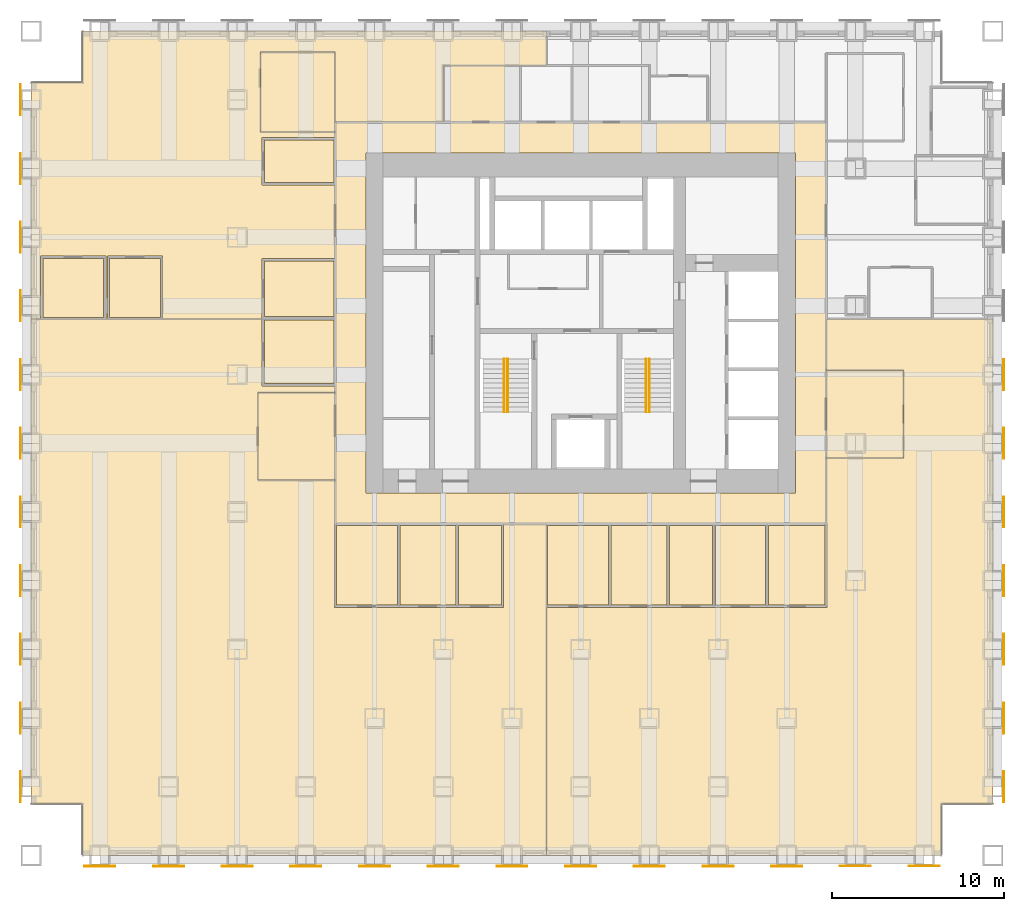
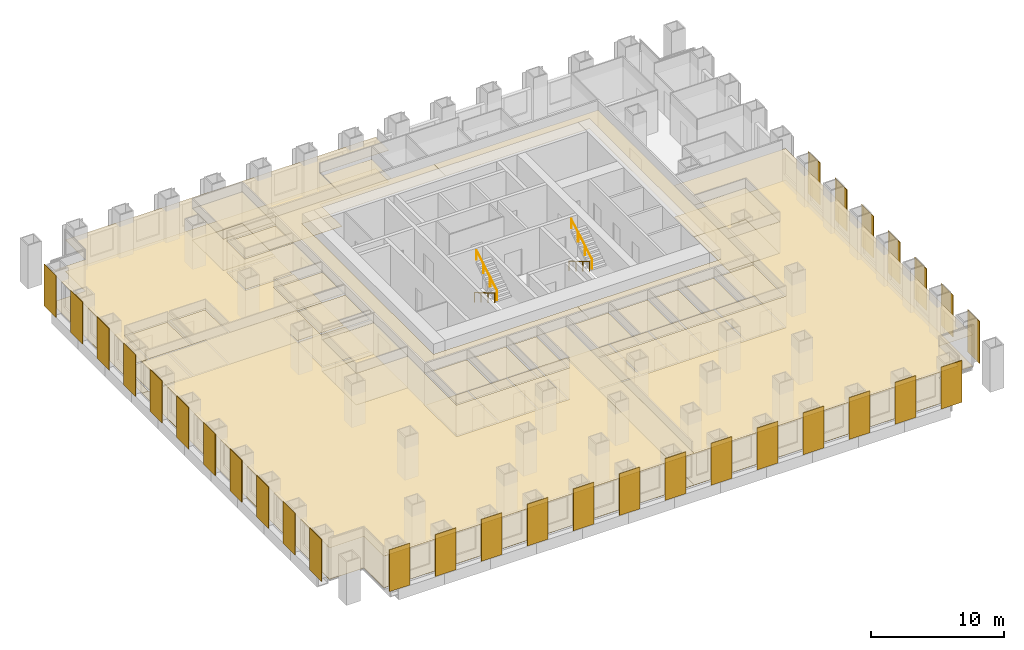
# One storey, part 14 of 15: 41 coverings, 31 shading devices, 4 railings.
"""IFC4 building model written with IfcOpenShell, lengths in metres."""

import ifcopenshell
import ifcopenshell.guid

model = None  # the IFC model being written
_history = None  # IfcOwnerHistory: only IFC2X3 demands one
_inside = {}  # id of a spatial element -> (the spatial element, [elements in it])
_under = {}  # id of a project, library or spatial element -> (it, [spatial elements below it])
_declared = {}  # id of a project -> (the project, [libraries it declares])
_typed = {}  # id of a type object -> (the type object, [elements of that type])
_made_of = {}  # id of a material, layer set ... -> (it, [elements and type objects made of it])


def new_model(schema):
    """Start an empty IFC model of exactly this schema.

    Asked for "IFC4X3", IfcOpenShell would pick the latest addendum, in which some entities
    have other attributes; the version numbers below select the first issue.
    IFC2X3 requires an IfcOwnerHistory on every rooted entity: one is made here for all.
    """
    global model, _history
    if schema == "IFC4X3":
        model = ifcopenshell.file(schema_version=(4, 3, 0, 0))
    else:
        model = ifcopenshell.file(schema=schema)
    _inside.clear()
    _under.clear()
    _declared.clear()
    _typed.clear()
    _made_of.clear()
    _history = None
    if model.schema == "IFC2X3":
        org = make("IfcOrganization", Name="unknown")
        user = make(
            "IfcPersonAndOrganization",
            ThePerson=make("IfcPerson", FamilyName="unknown"),
            TheOrganization=org,
        )
        app = make(
            "IfcApplication",
            ApplicationDeveloper=org,
            Version="unknown",
            ApplicationFullName="unknown",
            ApplicationIdentifier="unknown",
        )
        _history = make(
            "IfcOwnerHistory",
            OwningUser=user,
            OwningApplication=app,
            ChangeAction="ADDED",
            CreationDate=0,
        )
    return model


def make(cls, **values):
    """One entity of the class cls with the attributes given. An attribute that is None is left unset."""
    return model.create_entity(
        cls, **{name: value for name, value in values.items() if value is not None}
    )


def rooted(cls, **values):
    """An entity with a GlobalId (a new one), such as an element, a storey or a relation."""
    return make(cls, GlobalId=ifcopenshell.guid.new(), OwnerHistory=_history, **values)


def si_unit(unit_type, name, prefix=None):
    """IfcSIUnit, for example si_unit("LENGTHUNIT", "METRE", prefix="MILLI")."""
    return make("IfcSIUnit", UnitType=unit_type, Prefix=prefix, Name=name)


def assignment(units):
    """IfcUnitAssignment: the units of a project."""
    return None if units is None else make("IfcUnitAssignment", Units=units)


def point(xyz):
    """IfcCartesianPoint."""
    return None if xyz is None else make("IfcCartesianPoint", Coordinates=xyz)


def direction(xyz):
    """IfcDirection."""
    return None if xyz is None else make("IfcDirection", DirectionRatios=xyz)


def frame(location, z_axis=None, x_axis=None):
    """IfcAxis2Placement3D, a coordinate frame: its origin and axes. An axis left out is left unset."""
    return make(
        "IfcAxis2Placement3D",
        Location=point(location),
        Axis=direction(z_axis),
        RefDirection=direction(x_axis),
    )


def frame_2d(location, x_axis=None):
    """IfcAxis2Placement2D, a coordinate frame in the plane: its origin and x axis."""
    return make(
        "IfcAxis2Placement2D", Location=point(location), RefDirection=direction(x_axis)
    )


def origin():
    """The frame at (0, 0, 0) with its axes left unset."""
    return frame((0.0, 0.0, 0.0))


def origin_2d():
    """The frame at (0, 0) in the plane with its x axis left unset."""
    return frame_2d((0.0, 0.0))


def place(relative_to, where):
    """IfcLocalPlacement: puts the frame where relative to a parent placement (None: the world)."""
    return make(
        "IfcLocalPlacement", PlacementRelTo=relative_to, RelativePlacement=where
    )


def context(
    kind, dimensions, precision=None, world=None, true_north=None, identifier=None
):
    """IfcGeometricRepresentationContext, for example the 3D "Model" context."""
    return make(
        "IfcGeometricRepresentationContext",
        ContextIdentifier=identifier,
        ContextType=kind,
        CoordinateSpaceDimension=dimensions,
        Precision=precision,
        WorldCoordinateSystem=world,
        TrueNorth=true_north,
    )


def subcontext(parent, identifier, kind, view, scale=None):
    """IfcGeometricRepresentationSubContext, for example "Body" below "Model"."""
    return make(
        "IfcGeometricRepresentationSubContext",
        ContextIdentifier=identifier,
        ContextType=kind,
        ParentContext=parent,
        TargetScale=scale,
        TargetView=view,
    )


def project(units=None, contexts=None):
    """IfcProject with its units and contexts."""
    return rooted(
        "IfcProject",
        Name="project",
        RepresentationContexts=contexts,
        UnitsInContext=assignment(units),
    )


def spatial(cls, under=None, at=None, **own):
    """A site, building, storey or space (cls), placed at a placement, below another one or the project."""
    s = rooted(cls, ObjectPlacement=at, **own)
    if under is not None:
        _under.setdefault(under.id(), (under, []))[1].append(s)
    return s


def polyline(points):
    """IfcPolyline through the points."""
    return make("IfcPolyline", Points=[point(p) for p in points])


def profile(cls, at=None, kind="AREA", **sizes):
    """A parametric profile (cls). Its sizes go by their IFC names, for example OverallWidth=200.0."""
    return make(cls, ProfileType=kind, Position=at, **sizes)


def rectangle(**sizes):
    """IfcRectangleProfileDef."""
    return profile("IfcRectangleProfileDef", **sizes)


def circle(**sizes):
    """IfcCircleProfileDef."""
    return profile("IfcCircleProfileDef", **sizes)


def outline(outer, holes=None, kind="AREA"):
    """IfcArbitraryClosedProfileDef: a profile drawn as a closed curve; with holes, ...WithVoids."""
    if holes is None:
        return make("IfcArbitraryClosedProfileDef", ProfileType=kind, OuterCurve=outer)
    return make(
        "IfcArbitraryProfileDefWithVoids",
        ProfileType=kind,
        OuterCurve=outer,
        InnerCurves=holes,
    )


def extrude(swept, where, along, depth):
    """IfcExtrudedAreaSolid: the profile swept, set in the frame where, extruded along a direction by depth."""
    return make(
        "IfcExtrudedAreaSolid",
        SweptArea=swept,
        Position=where,
        ExtrudedDirection=direction(along),
        Depth=depth,
    )


def shape(context_of_items, identifier, shape_type, items):
    """IfcShapeRepresentation: the items that make up one representation, for example the "Body"."""
    return make(
        "IfcShapeRepresentation",
        ContextOfItems=context_of_items,
        RepresentationIdentifier=identifier,
        RepresentationType=shape_type,
        Items=items,
    )


def material(Name=None, Category=None):
    """IfcMaterial."""
    return make("IfcMaterial", Name=Name, Category=Category)


def layer(
    of_material, thickness, ventilated=None, Name=None, Category=None, Priority=None
):
    """IfcMaterialLayer: one layer of a wall or slab, of a material (None: an air gap)."""
    return make(
        "IfcMaterialLayer",
        Material=of_material,
        LayerThickness=thickness,
        IsVentilated=ventilated,
        Name=Name,
        Category=Category,
        Priority=Priority,
    )


def layer_set(layers, Name=None):
    """IfcMaterialLayerSet."""
    return make("IfcMaterialLayerSet", MaterialLayers=layers, LayerSetName=Name)


def made_of(thing, what):
    """Note that an element or type object is made of a material, layer set ...; save() writes the relation."""
    if what is not None:
        _made_of.setdefault(what.id(), (what, []))[1].append(thing)
    return thing


def type_object(cls, material=None, **own):
    """A type object (cls), such as IfcWallType, which elements share."""
    return made_of(rooted(cls, **own), material)


def element(
    cls,
    number,
    at=None,
    inside=None,
    cuts=None,
    type_object=None,
    material=None,
    context=None,
    identifier="Body",
    shape_type=None,
    held_by="IfcProductDefinitionShape",
    body=None,
    shapes=None,
    **own,
):
    """One element of the class cls, such as IfcWall. Its Tag is "e" and its number.

    at: its placement. inside: the storey or other place that contains it. cuts: it is an
    opening in that element (IfcRelVoidsElement). A single representation is given by context,
    identifier, shape_type and body (its items); several are given by shapes. held_by: the class
    of the entity that holds the representations. save() writes the other relations.
    """
    e = rooted(cls, Tag="e%d" % number, ObjectPlacement=at, **own)
    if body is not None:
        shapes = [shape(context, identifier, shape_type, body)]
    if shapes is not None:
        e.Representation = make(held_by, Representations=shapes)
    if inside is not None:
        _inside.setdefault(inside.id(), (inside, []))[1].append(e)
    if cuts is not None:
        rooted(
            "IfcRelVoidsElement", RelatingBuildingElement=cuts, RelatedOpeningElement=e
        )
    if type_object is not None:
        _typed.setdefault(type_object.id(), (type_object, []))[1].append(e)
    return made_of(e, material)


def aggregate(whole, parts):
    """IfcRelAggregates: a whole, such as a stair, and the parts it consists of."""
    return rooted("IfcRelAggregates", RelatingObject=whole, RelatedObjects=parts)


def save(model, path):
    """Write the relations noted so far, then the file.

    IfcRelAggregates (storeys below a building ...), IfcRelContainedInSpatialStructure (elements
    in a storey), IfcRelDefinesByType, IfcRelAssociatesMaterial and IfcRelDeclares: one each for
    every whole, place, type object, material and project.
    """
    for whole, parts in _under.values():
        aggregate(whole, parts)
    for where, things in _inside.values():
        rooted(
            "IfcRelContainedInSpatialStructure",
            RelatedElements=things,
            RelatingStructure=where,
        )
    for kind, things in _typed.values():
        rooted("IfcRelDefinesByType", RelatedObjects=things, RelatingType=kind)
    for what, things in _made_of.values():
        rooted("IfcRelAssociatesMaterial", RelatedObjects=things, RelatingMaterial=what)
    for by, libraries in _declared.values():
        rooted("IfcRelDeclares", RelatingContext=by, RelatedDefinitions=libraries)
    model.write(path)


model = new_model("IFC4")

# Units and contexts
model_context = context("Model", 3, precision=1e-05, world=origin(), true_north=direction((0.0, 1.0)))
body_context = subcontext(model_context, "Body", "Model", "MODEL_VIEW")
ifc_project = project(units=[si_unit("LENGTHUNIT", "METRE"), si_unit("AREAUNIT", "SQUARE_METRE"), si_unit("VOLUMEUNIT", "CUBIC_METRE"), si_unit("PLANEANGLEUNIT", "RADIAN"), si_unit("MASSUNIT", "GRAM", prefix="KILO")], contexts=[model_context])

# Site, building, storey
site_placement = place(None, origin())
site = spatial("IfcSite", under=ifc_project, at=site_placement, CompositionType="ELEMENT")
building_placement = place(site_placement, origin())
building = spatial("IfcBuilding", under=site, at=building_placement, Name="Rimbunsela Tower", CompositionType="ELEMENT")
storey_placement = place(building_placement, frame((0.0, 0.0, 19.0)))
storey = spatial("IfcBuildingStorey", under=building, at=storey_placement, Name="L04", CompositionType="ELEMENT", Elevation=19.0)

# Coverings
ifc_material_1 = material(Name="Nylon carpet tile", Category="textile")
ifc_layer_1 = layer(ifc_material_1, 0.010009765625)
ifc_layer_set_1 = layer_set([ifc_layer_1], Name="Carpet tile 10")
covering_type_1 = type_object("IfcCoveringType", Name="Carpet tile 10", PredefinedType="FLOORING", material=ifc_layer_set_1)
covering_1_placement = place(storey_placement, origin())
element("IfcCovering", 1, at=covering_1_placement, inside=storey, type_object=covering_type_1, Name="Floor finish Open office", PredefinedType="FLOORING", context=body_context, shape_type="SweptSolid", body=[
    extrude(outline(polyline([(19.449951171875, 10.449951171875), (22.75, 10.449951171875), (22.85009765625, 10.449951171875), (25.5, 10.449951171875), (25.5, 15.300048828125), (27.9990234375, 15.300048828125), (27.9990234375, -4.0), (15.699951171875, -4.0), (1.0, -4.0), (1.0, -1.0), (-2.0, -1.0), (-2.0, 27.2490234375), (11.449951171875, 27.2490234375), (11.449951171875, 23.35009765625), (15.699951171875, 23.35009765625), (15.699951171875, 22.949951171875), (11.199951171875, 22.949951171875), (11.199951171875, 17.85009765625), (15.699951171875, 17.85009765625), (15.699951171875, 15.35009765625), (15.64990234375, 15.35009765625), (15.64990234375, 10.449951171875), (15.699951171875, 10.449951171875), (19.35009765625, 10.449951171875), (19.449951171875, 10.449951171875)])), origin(), (0.0, 0.0, 1.0), 0.010009765625),
])
covering_2_placement = place(storey_placement, origin())
element("IfcCovering", 2, at=covering_2_placement, inside=storey, type_object=covering_type_1, Name="Floor finish Open office", PredefinedType="FLOORING", context=body_context, shape_type="SweptSolid", body=[
    extrude(outline(polyline([(15.699951171875, 42.77490234375), (11.35009765625, 42.77490234375), (11.35009765625, 38.125), (15.699951171875, 38.125), (15.699951171875, 37.800048828125), (11.449951171875, 37.800048828125), (11.449951171875, 35.050048828125), (15.699951171875, 35.050048828125), (15.699951171875, 30.75), (11.449951171875, 30.75), (11.449951171875, 27.2509765625), (5.64990234375, 27.2509765625), (5.64990234375, 30.89990234375), (2.449951171875, 30.89990234375), (2.449951171875, 27.2509765625), (2.35009765625, 27.2509765625), (2.35009765625, 30.89990234375), (-1.449951171875, 30.89990234375), (-1.449951171875, 27.2509765625), (-2.0, 27.2509765625), (-2.0, 41.0), (1.0, 41.0), (1.0, 44.0), (15.699951171875, 44.0), (27.9990234375, 44.0), (27.9990234375, 42.0), (22.0, 42.0), (22.0, 38.699951171875), (15.699951171875, 38.699951171875), (15.699951171875, 42.77490234375)])), origin(), (0.0, 0.0, 1.0), 0.010009765625),
])
covering_3_placement = place(storey_placement, origin())
element("IfcCovering", 3, at=covering_3_placement, inside=storey, type_object=covering_type_1, Name="Floor finish Open office", PredefinedType="FLOORING", context=body_context, shape_type="SweptSolid", body=[
    extrude(outline(polyline([(28.0009765625, 10.449951171875), (31.65087890625, 10.449951171875), (31.7509765625, 10.449951171875), (35.051025390625, 10.449951171875), (35.15087890625, 10.449951171875), (37.700927734375, 10.449951171875), (37.801025390625, 10.449951171875), (40.801025390625, 10.449951171875), (40.90087890625, 10.449951171875), (44.300048828125, 10.449951171875), (44.35009765625, 10.449951171875), (44.35009765625, 15.35009765625), (44.300048828125, 15.35009765625), (44.300048828125, 19.14990234375), (48.800048828125, 19.14990234375), (48.800048828125, 24.25), (44.300048828125, 24.25), (44.300048828125, 27.2490234375), (54.0, 27.2490234375), (54.0, -1.0), (51.0, -1.0), (51.0, -4.0), (44.300048828125, -4.0), (28.0009765625, -4.0), (28.0009765625, 10.449951171875)])), origin(), (0.0, 0.0, 1.0), 0.010009765625),
])
covering_4_placement = place(storey_placement, origin())
element("IfcCovering", 4, at=covering_4_placement, inside=storey, type_object=covering_type_1, Name="Floor finish Reception", PredefinedType="FLOORING", context=body_context, shape_type="SweptSolid", body=[
    extrude(outline(polyline([(15.699951171875, 17.85009765625), (15.699951171875, 22.949951171875), (11.199951171875, 22.949951171875), (11.199951171875, 17.85009765625), (15.699951171875, 17.85009765625)])), origin(), (0.0, 0.0, 1.0), 0.010009765625),
])
covering_5_placement = place(storey_placement, origin())
element("IfcCovering", 5, at=covering_5_placement, inside=storey, type_object=covering_type_1, Name="Floor finish Reception", PredefinedType="FLOORING", context=body_context, shape_type="SweptSolid", body=[
    extrude(outline(polyline([(15.699951171875, 38.125), (15.699951171875, 42.77490234375), (11.35009765625, 42.77490234375), (11.35009765625, 38.125), (15.699951171875, 38.125)])), origin(), (0.0, 0.0, 1.0), 0.010009765625),
])
covering_6_placement = place(storey_placement, origin())
element("IfcCovering", 6, at=covering_6_placement, inside=storey, type_object=covering_type_1, Name="Floor finish Reception", PredefinedType="FLOORING", context=body_context, shape_type="SweptSolid", body=[
    extrude(outline(polyline([(48.800048828125, 19.14990234375), (48.800048828125, 24.25), (44.300048828125, 24.25), (44.300048828125, 19.14990234375), (48.800048828125, 19.14990234375)])), origin(), (0.0, 0.0, 1.0), 0.010009765625),
])
covering_7_placement = place(storey_placement, origin())
element("IfcCovering", 7, at=covering_7_placement, inside=storey, type_object=covering_type_1, Name="Floor finish Meeting room", PredefinedType="FLOORING", context=body_context, shape_type="SweptSolid", body=[
    extrude(outline(polyline([(19.324951171875, 10.574951171875), (19.324951171875, 15.22509765625), (15.77490234375, 15.22509765625), (15.77490234375, 10.574951171875), (19.324951171875, 10.574951171875)])), origin(), (0.0, 0.0, 1.0), 0.010009765625),
])
covering_8_placement = place(storey_placement, origin())
element("IfcCovering", 8, at=covering_8_placement, inside=storey, type_object=covering_type_1, Name="Floor finish Pantry", PredefinedType="FLOORING", context=body_context, shape_type="SweptSolid", body=[
    extrude(outline(polyline([(22.72509765625, 10.574951171875), (22.72509765625, 15.22509765625), (19.47509765625, 15.22509765625), (19.47509765625, 10.574951171875), (22.72509765625, 10.574951171875)])), origin(), (0.0, 0.0, 1.0), 0.010009765625),
])
covering_9_placement = place(storey_placement, origin())
element("IfcCovering", 9, at=covering_9_placement, inside=storey, type_object=covering_type_1, Name="Floor finish Print and copy room", PredefinedType="FLOORING", context=body_context, shape_type="SweptSolid", body=[
    extrude(outline(polyline([(25.375, 10.574951171875), (25.375, 15.22509765625), (22.875, 15.22509765625), (22.875, 10.574951171875), (25.375, 10.574951171875)])), origin(), (0.0, 0.0, 1.0), 0.010009765625),
])
covering_10_placement = place(storey_placement, origin())
element("IfcCovering", 10, at=covering_10_placement, inside=storey, type_object=covering_type_1, Name="Floor finish Office", PredefinedType="FLOORING", context=body_context, shape_type="SweptSolid", body=[
    extrude(outline(polyline([(15.625, 23.47509765625), (15.625, 27.174072265625), (11.574951171875, 27.174072265625), (11.574951171875, 23.47509765625), (15.625, 23.47509765625)])), origin(), (0.0, 0.0, 1.0), 0.010009765625),
])
covering_11_placement = place(storey_placement, origin())
element("IfcCovering", 11, at=covering_11_placement, inside=storey, type_object=covering_type_1, Name="Floor finish Meeting room", PredefinedType="FLOORING", context=body_context, shape_type="SweptSolid", body=[
    extrude(outline(polyline([(31.6259765625, 10.574951171875), (31.6259765625, 15.22509765625), (28.075927734375, 15.22509765625), (28.075927734375, 10.574951171875), (31.6259765625, 10.574951171875)])), origin(), (0.0, 0.0, 1.0), 0.010009765625),
])
covering_12_placement = place(storey_placement, origin())
element("IfcCovering", 12, at=covering_12_placement, inside=storey, type_object=covering_type_1, Name="Floor finish Pantry", PredefinedType="FLOORING", context=body_context, shape_type="SweptSolid", body=[
    extrude(outline(polyline([(35.02587890625, 10.574951171875), (35.02587890625, 15.22509765625), (31.77587890625, 15.22509765625), (31.77587890625, 10.574951171875), (35.02587890625, 10.574951171875)])), origin(), (0.0, 0.0, 1.0), 0.010009765625),
])
covering_13_placement = place(storey_placement, origin())
element("IfcCovering", 13, at=covering_13_placement, inside=storey, type_object=covering_type_1, Name="Floor finish Print and copy room", PredefinedType="FLOORING", context=body_context, shape_type="SweptSolid", body=[
    extrude(outline(polyline([(37.676025390625, 10.574951171875), (37.676025390625, 15.22509765625), (35.176025390625, 15.22509765625), (35.176025390625, 10.574951171875), (37.676025390625, 10.574951171875)])), origin(), (0.0, 0.0, 1.0), 0.010009765625),
])
covering_14_placement = place(storey_placement, origin())
element("IfcCovering", 14, at=covering_14_placement, inside=storey, type_object=covering_type_1, Name="Floor finish Office", PredefinedType="FLOORING", context=body_context, shape_type="SweptSolid", body=[
    extrude(outline(polyline([(40.77587890625, 10.574951171875), (40.77587890625, 15.22509765625), (37.825927734375, 15.22509765625), (37.825927734375, 10.574951171875), (40.77587890625, 10.574951171875)])), origin(), (0.0, 0.0, 1.0), 0.010009765625),
])
covering_15_placement = place(storey_placement, origin())
element("IfcCovering", 15, at=covering_15_placement, inside=storey, type_object=covering_type_1, Name="Floor finish Focus room", PredefinedType="FLOORING", context=body_context, shape_type="SweptSolid", body=[
    extrude(outline(polyline([(44.22509765625, 10.574951171875), (44.22509765625, 15.22509765625), (40.926025390625, 15.22509765625), (40.926025390625, 10.574951171875), (44.22509765625, 10.574951171875)])), origin(), (0.0, 0.0, 1.0), 0.010009765625),
])
covering_16_placement = place(storey_placement, origin())
element("IfcCovering", 16, at=covering_16_placement, inside=storey, type_object=covering_type_1, Name="Floor finish Meeting room", PredefinedType="FLOORING", context=body_context, shape_type="SweptSolid", body=[
    extrude(outline(polyline([(2.22509765625, 27.324951171875), (2.22509765625, 30.77490234375), (-1.324951171875, 30.77490234375), (-1.324951171875, 27.324951171875), (2.22509765625, 27.324951171875)])), origin(), (0.0, 0.0, 1.0), 0.010009765625),
])
covering_17_placement = place(storey_placement, origin())
element("IfcCovering", 17, at=covering_17_placement, inside=storey, type_object=covering_type_1, Name="Floor finish Pantry", PredefinedType="FLOORING", context=body_context, shape_type="SweptSolid", body=[
    extrude(outline(polyline([(15.625, 27.375), (15.625, 30.625), (11.574951171875, 30.625), (11.574951171875, 27.375), (15.625, 27.375)])), origin(), (0.0, 0.0, 1.0), 0.010009765625),
])
covering_18_placement = place(storey_placement, origin())
element("IfcCovering", 18, at=covering_18_placement, inside=storey, type_object=covering_type_1, Name="Floor finish Print and copy room", PredefinedType="FLOORING", context=body_context, shape_type="SweptSolid", body=[
    extrude(outline(polyline([(15.625, 35.175048828125), (15.625, 37.675048828125), (11.574951171875, 37.675048828125), (11.574951171875, 35.175048828125), (15.625, 35.175048828125)])), origin(), (0.0, 0.0, 1.0), 0.010009765625),
])
covering_19_placement = place(storey_placement, origin())
element("IfcCovering", 19, at=covering_19_placement, inside=storey, type_object=covering_type_1, Name="Floor finish Office", PredefinedType="FLOORING", context=body_context, shape_type="SweptSolid", body=[
    extrude(outline(polyline([(5.52490234375, 27.324951171875), (5.52490234375, 30.77490234375), (2.574951171875, 30.77490234375), (2.574951171875, 27.324951171875), (5.52490234375, 27.324951171875)])), origin(), (0.0, 0.0, 1.0), 0.010009765625),
])
ifc_material_2 = material(Name="Mineral fibre ceiling tile", Category="gypsum")
ifc_layer_2 = layer(ifc_material_2, 0.02001953125)
ifc_layer_set_2 = layer_set([ifc_layer_2], Name="Ceiling 600 grid")
covering_type_2 = type_object("IfcCoveringType", Name="Ceiling 600 grid", PredefinedType="CEILING", material=ifc_layer_set_2)
covering_20_placement = place(storey_placement, frame((0.0, 0.0, 2.89990234375)))
element("IfcCovering", 20, at=covering_20_placement, inside=storey, type_object=covering_type_2, Name="Ceiling Ring corridor", PredefinedType="CEILING", context=body_context, shape_type="SweptSolid", body=[
    extrude(outline(polyline([(15.699951171875, 38.699951171875), (30.0, 38.699951171875), (30.0, 36.89990234375), (17.5, 36.89990234375), (17.5, 17.10009765625), (30.0, 17.10009765625), (30.0, 15.300048828125), (15.699951171875, 15.300048828125), (15.699951171875, 38.699951171875)])), origin(), (0.0, 0.0, 1.0), 0.02001953125),
])
covering_21_placement = place(storey_placement, frame((0.0, 0.0, 2.89990234375)))
element("IfcCovering", 21, at=covering_21_placement, inside=storey, type_object=covering_type_2, Name="Ceiling Ring corridor", PredefinedType="CEILING", context=body_context, shape_type="SweptSolid", body=[
    extrude(outline(polyline([(44.300048828125, 38.699951171875), (44.300048828125, 15.300048828125), (30.0, 15.300048828125), (30.0, 17.10009765625), (42.5, 17.10009765625), (42.5, 36.89990234375), (30.0, 36.89990234375), (30.0, 38.699951171875), (44.300048828125, 38.699951171875)])), origin(), (0.0, 0.0, 1.0), 0.02001953125),
])
covering_22_placement = place(storey_placement, frame((0.0, 0.0, 2.89990234375)))
element("IfcCovering", 22, at=covering_22_placement, inside=storey, type_object=covering_type_2, Name="Ceiling Open office", PredefinedType="CEILING", context=body_context, shape_type="SweptSolid", body=[
    extrude(outline(polyline([(19.449951171875, 10.449951171875), (22.75, 10.449951171875), (22.85009765625, 10.449951171875), (25.5, 10.449951171875), (25.5, 15.300048828125), (27.9990234375, 15.300048828125), (27.9990234375, -4.0), (15.699951171875, -4.0), (1.0, -4.0), (1.0, -1.0), (-2.0, -1.0), (-2.0, 27.2490234375), (11.449951171875, 27.2490234375), (11.449951171875, 23.35009765625), (15.699951171875, 23.35009765625), (15.699951171875, 22.949951171875), (11.199951171875, 22.949951171875), (11.199951171875, 17.85009765625), (15.699951171875, 17.85009765625), (15.699951171875, 15.35009765625), (15.64990234375, 15.35009765625), (15.64990234375, 10.449951171875), (15.699951171875, 10.449951171875), (19.35009765625, 10.449951171875), (19.449951171875, 10.449951171875)])), origin(), (0.0, 0.0, 1.0), 0.02001953125),
])
covering_23_placement = place(storey_placement, frame((0.0, 0.0, 2.89990234375)))
element("IfcCovering", 23, at=covering_23_placement, inside=storey, type_object=covering_type_2, Name="Ceiling Open office", PredefinedType="CEILING", context=body_context, shape_type="SweptSolid", body=[
    extrude(outline(polyline([(15.699951171875, 42.77490234375), (11.35009765625, 42.77490234375), (11.35009765625, 38.125), (15.699951171875, 38.125), (15.699951171875, 37.800048828125), (11.449951171875, 37.800048828125), (11.449951171875, 35.050048828125), (15.699951171875, 35.050048828125), (15.699951171875, 30.75), (11.449951171875, 30.75), (11.449951171875, 27.2509765625), (5.64990234375, 27.2509765625), (5.64990234375, 30.89990234375), (2.449951171875, 30.89990234375), (2.449951171875, 27.2509765625), (2.35009765625, 27.2509765625), (2.35009765625, 30.89990234375), (-1.449951171875, 30.89990234375), (-1.449951171875, 27.2509765625), (-2.0, 27.2509765625), (-2.0, 41.0), (1.0, 41.0), (1.0, 44.0), (15.699951171875, 44.0), (27.9990234375, 44.0), (27.9990234375, 42.0), (22.0, 42.0), (22.0, 38.699951171875), (15.699951171875, 38.699951171875), (15.699951171875, 42.77490234375)])), origin(), (0.0, 0.0, 1.0), 0.02001953125),
])
covering_24_placement = place(storey_placement, frame((0.0, 0.0, 2.89990234375)))
element("IfcCovering", 24, at=covering_24_placement, inside=storey, type_object=covering_type_2, Name="Ceiling Open office", PredefinedType="CEILING", context=body_context, shape_type="SweptSolid", body=[
    extrude(outline(polyline([(28.0009765625, 10.449951171875), (31.65087890625, 10.449951171875), (31.7509765625, 10.449951171875), (35.051025390625, 10.449951171875), (35.15087890625, 10.449951171875), (37.700927734375, 10.449951171875), (37.801025390625, 10.449951171875), (40.801025390625, 10.449951171875), (40.90087890625, 10.449951171875), (44.300048828125, 10.449951171875), (44.35009765625, 10.449951171875), (44.35009765625, 15.35009765625), (44.300048828125, 15.35009765625), (44.300048828125, 19.14990234375), (48.800048828125, 19.14990234375), (48.800048828125, 24.25), (44.300048828125, 24.25), (44.300048828125, 27.2490234375), (54.0, 27.2490234375), (54.0, -1.0), (51.0, -1.0), (51.0, -4.0), (44.300048828125, -4.0), (28.0009765625, -4.0), (28.0009765625, 10.449951171875)])), origin(), (0.0, 0.0, 1.0), 0.02001953125),
])
covering_25_placement = place(storey_placement, frame((0.0, 0.0, 2.89990234375)))
element("IfcCovering", 25, at=covering_25_placement, inside=storey, type_object=covering_type_2, Name="Ceiling Reception", PredefinedType="CEILING", context=body_context, shape_type="SweptSolid", body=[
    extrude(outline(polyline([(15.699951171875, 17.85009765625), (15.699951171875, 22.949951171875), (11.199951171875, 22.949951171875), (11.199951171875, 17.85009765625), (15.699951171875, 17.85009765625)])), origin(), (0.0, 0.0, 1.0), 0.02001953125),
])
covering_26_placement = place(storey_placement, frame((0.0, 0.0, 2.89990234375)))
element("IfcCovering", 26, at=covering_26_placement, inside=storey, type_object=covering_type_2, Name="Ceiling Reception", PredefinedType="CEILING", context=body_context, shape_type="SweptSolid", body=[
    extrude(outline(polyline([(15.699951171875, 38.125), (15.699951171875, 42.77490234375), (11.35009765625, 42.77490234375), (11.35009765625, 38.125), (15.699951171875, 38.125)])), origin(), (0.0, 0.0, 1.0), 0.02001953125),
])
covering_27_placement = place(storey_placement, frame((0.0, 0.0, 2.89990234375)))
element("IfcCovering", 27, at=covering_27_placement, inside=storey, type_object=covering_type_2, Name="Ceiling Reception", PredefinedType="CEILING", context=body_context, shape_type="SweptSolid", body=[
    extrude(outline(polyline([(48.800048828125, 19.14990234375), (48.800048828125, 24.25), (44.300048828125, 24.25), (44.300048828125, 19.14990234375), (48.800048828125, 19.14990234375)])), origin(), (0.0, 0.0, 1.0), 0.02001953125),
])
covering_28_placement = place(storey_placement, frame((0.0, 0.0, 2.89990234375)))
element("IfcCovering", 28, at=covering_28_placement, inside=storey, type_object=covering_type_2, Name="Ceiling Meeting room", PredefinedType="CEILING", context=body_context, shape_type="SweptSolid", body=[
    extrude(outline(polyline([(19.324951171875, 10.574951171875), (19.324951171875, 15.22509765625), (15.77490234375, 15.22509765625), (15.77490234375, 10.574951171875), (19.324951171875, 10.574951171875)])), origin(), (0.0, 0.0, 1.0), 0.02001953125),
])
covering_29_placement = place(storey_placement, frame((0.0, 0.0, 2.89990234375)))
element("IfcCovering", 29, at=covering_29_placement, inside=storey, type_object=covering_type_2, Name="Ceiling Pantry", PredefinedType="CEILING", context=body_context, shape_type="SweptSolid", body=[
    extrude(outline(polyline([(22.72509765625, 10.574951171875), (22.72509765625, 15.22509765625), (19.47509765625, 15.22509765625), (19.47509765625, 10.574951171875), (22.72509765625, 10.574951171875)])), origin(), (0.0, 0.0, 1.0), 0.02001953125),
])
covering_30_placement = place(storey_placement, frame((0.0, 0.0, 2.89990234375)))
element("IfcCovering", 30, at=covering_30_placement, inside=storey, type_object=covering_type_2, Name="Ceiling Print and copy room", PredefinedType="CEILING", context=body_context, shape_type="SweptSolid", body=[
    extrude(outline(polyline([(25.375, 10.574951171875), (25.375, 15.22509765625), (22.875, 15.22509765625), (22.875, 10.574951171875), (25.375, 10.574951171875)])), origin(), (0.0, 0.0, 1.0), 0.02001953125),
])
covering_31_placement = place(storey_placement, frame((0.0, 0.0, 2.89990234375)))
element("IfcCovering", 31, at=covering_31_placement, inside=storey, type_object=covering_type_2, Name="Ceiling Office", PredefinedType="CEILING", context=body_context, shape_type="SweptSolid", body=[
    extrude(outline(polyline([(15.625, 23.47509765625), (15.625, 27.174072265625), (11.574951171875, 27.174072265625), (11.574951171875, 23.47509765625), (15.625, 23.47509765625)])), origin(), (0.0, 0.0, 1.0), 0.02001953125),
])
covering_32_placement = place(storey_placement, frame((0.0, 0.0, 2.89990234375)))
element("IfcCovering", 32, at=covering_32_placement, inside=storey, type_object=covering_type_2, Name="Ceiling Meeting room", PredefinedType="CEILING", context=body_context, shape_type="SweptSolid", body=[
    extrude(outline(polyline([(31.6259765625, 10.574951171875), (31.6259765625, 15.22509765625), (28.075927734375, 15.22509765625), (28.075927734375, 10.574951171875), (31.6259765625, 10.574951171875)])), origin(), (0.0, 0.0, 1.0), 0.02001953125),
])
covering_33_placement = place(storey_placement, frame((0.0, 0.0, 2.89990234375)))
element("IfcCovering", 33, at=covering_33_placement, inside=storey, type_object=covering_type_2, Name="Ceiling Pantry", PredefinedType="CEILING", context=body_context, shape_type="SweptSolid", body=[
    extrude(outline(polyline([(35.02587890625, 10.574951171875), (35.02587890625, 15.22509765625), (31.77587890625, 15.22509765625), (31.77587890625, 10.574951171875), (35.02587890625, 10.574951171875)])), origin(), (0.0, 0.0, 1.0), 0.02001953125),
])
covering_34_placement = place(storey_placement, frame((0.0, 0.0, 2.89990234375)))
element("IfcCovering", 34, at=covering_34_placement, inside=storey, type_object=covering_type_2, Name="Ceiling Print and copy room", PredefinedType="CEILING", context=body_context, shape_type="SweptSolid", body=[
    extrude(outline(polyline([(37.676025390625, 10.574951171875), (37.676025390625, 15.22509765625), (35.176025390625, 15.22509765625), (35.176025390625, 10.574951171875), (37.676025390625, 10.574951171875)])), origin(), (0.0, 0.0, 1.0), 0.02001953125),
])
covering_35_placement = place(storey_placement, frame((0.0, 0.0, 2.89990234375)))
element("IfcCovering", 35, at=covering_35_placement, inside=storey, type_object=covering_type_2, Name="Ceiling Office", PredefinedType="CEILING", context=body_context, shape_type="SweptSolid", body=[
    extrude(outline(polyline([(40.77587890625, 10.574951171875), (40.77587890625, 15.22509765625), (37.825927734375, 15.22509765625), (37.825927734375, 10.574951171875), (40.77587890625, 10.574951171875)])), origin(), (0.0, 0.0, 1.0), 0.02001953125),
])
covering_36_placement = place(storey_placement, frame((0.0, 0.0, 2.89990234375)))
element("IfcCovering", 36, at=covering_36_placement, inside=storey, type_object=covering_type_2, Name="Ceiling Focus room", PredefinedType="CEILING", context=body_context, shape_type="SweptSolid", body=[
    extrude(outline(polyline([(44.22509765625, 10.574951171875), (44.22509765625, 15.22509765625), (40.926025390625, 15.22509765625), (40.926025390625, 10.574951171875), (44.22509765625, 10.574951171875)])), origin(), (0.0, 0.0, 1.0), 0.02001953125),
])
covering_37_placement = place(storey_placement, frame((0.0, 0.0, 2.89990234375)))
element("IfcCovering", 37, at=covering_37_placement, inside=storey, type_object=covering_type_2, Name="Ceiling Meeting room", PredefinedType="CEILING", context=body_context, shape_type="SweptSolid", body=[
    extrude(outline(polyline([(2.22509765625, 27.324951171875), (2.22509765625, 30.77490234375), (-1.324951171875, 30.77490234375), (-1.324951171875, 27.324951171875), (2.22509765625, 27.324951171875)])), origin(), (0.0, 0.0, 1.0), 0.02001953125),
])
covering_38_placement = place(storey_placement, frame((0.0, 0.0, 2.89990234375)))
element("IfcCovering", 38, at=covering_38_placement, inside=storey, type_object=covering_type_2, Name="Ceiling Pantry", PredefinedType="CEILING", context=body_context, shape_type="SweptSolid", body=[
    extrude(outline(polyline([(15.625, 27.375), (15.625, 30.625), (11.574951171875, 30.625), (11.574951171875, 27.375), (15.625, 27.375)])), origin(), (0.0, 0.0, 1.0), 0.02001953125),
])
covering_39_placement = place(storey_placement, frame((0.0, 0.0, 2.89990234375)))
element("IfcCovering", 39, at=covering_39_placement, inside=storey, type_object=covering_type_2, Name="Ceiling Print and copy room", PredefinedType="CEILING", context=body_context, shape_type="SweptSolid", body=[
    extrude(outline(polyline([(15.625, 35.175048828125), (15.625, 37.675048828125), (11.574951171875, 37.675048828125), (11.574951171875, 35.175048828125), (15.625, 35.175048828125)])), origin(), (0.0, 0.0, 1.0), 0.02001953125),
])
covering_40_placement = place(storey_placement, frame((0.0, 0.0, 2.89990234375)))
element("IfcCovering", 40, at=covering_40_placement, inside=storey, type_object=covering_type_2, Name="Ceiling Office", PredefinedType="CEILING", context=body_context, shape_type="SweptSolid", body=[
    extrude(outline(polyline([(5.52490234375, 27.324951171875), (5.52490234375, 30.77490234375), (2.574951171875, 30.77490234375), (2.574951171875, 27.324951171875), (5.52490234375, 27.324951171875)])), origin(), (0.0, 0.0, 1.0), 0.02001953125),
])
ifc_material_3 = material(Name="Moisture-resistant plasterboard ceiling", Category="gypsum")
ifc_layer_3 = layer(ifc_material_3, 0.012451171875)
ifc_layer_set_3 = layer_set([ifc_layer_3], Name="Ceiling moisture-resistant board")
covering_type_3 = type_object("IfcCoveringType", Name="Ceiling moisture-resistant board", PredefinedType="CEILING", material=ifc_layer_set_3)
covering_41_placement = place(storey_placement, frame((0.0, 0.0, 2.60009765625)))
element("IfcCovering", 41, at=covering_41_placement, inside=storey, type_object=covering_type_3, Name="Ceiling Female WC", PredefinedType="CEILING", context=body_context, shape_type="SweptSolid", body=[
    extrude(outline(polyline([(26.5, 38.699951171875), (26.5, 42.0), (22.0, 42.0), (22.0, 38.699951171875), (26.5, 38.699951171875)])), origin(), (0.0, 0.0, 1.0), 0.02001953125),
])

# Shading devices
ifc_material_4 = material(Name="Perforated aluminium, 35 % open area", Category="aluminium")
ifc_layer_4 = layer(ifc_material_4, 0.050048828125)
ifc_layer_set_4 = layer_set([ifc_layer_4], Name="Solar screen panel 1800")
shading_device_type = type_object("IfcShadingDeviceType", Name="Solar screen panel 1800", PredefinedType="USERDEFINED", material=ifc_layer_set_4)
for number, where, z_axis, x_axis, name in (
    (42, (2.0, -4.625, 0.0), (0.0, 0.0, 1.0), (1.0, 0.0, 0.0), "Solar screen S L04"),
    (43, (6.0, -4.625, 0.0), (0.0, 0.0, 1.0), (1.0, 0.0, 0.0), "Solar screen S L04"),
    (44, (10.0, -4.625, 0.0), (0.0, 0.0, 1.0), (1.0, 0.0, 0.0), "Solar screen S L04"),
    (45, (14.0, -4.625, 0.0), (0.0, 0.0, 1.0), (1.0, 0.0, 0.0), "Solar screen S L04"),
    (46, (18.0, -4.625, 0.0), (0.0, 0.0, 1.0), (1.0, 0.0, 0.0), "Solar screen S L04"),
    (47, (22.0, -4.625, 0.0), (0.0, 0.0, 1.0), (1.0, 0.0, 0.0), "Solar screen S L04"),
    (48, (26.0, -4.625, 0.0), (0.0, 0.0, 1.0), (1.0, 0.0, 0.0), "Solar screen S L04"),
    (49, (30.0, -4.625, 0.0), (0.0, 0.0, 1.0), (1.0, 0.0, 0.0), "Solar screen S L04"),
    (50, (34.0, -4.625, 0.0), (0.0, 0.0, 1.0), (1.0, 0.0, 0.0), "Solar screen S L04"),
    (51, (38.0, -4.625, 0.0), (0.0, 0.0, 1.0), (1.0, 0.0, 0.0), "Solar screen S L04"),
    (52, (42.0, -4.625, 0.0), (0.0, 0.0, 1.0), (1.0, 0.0, 0.0), "Solar screen S L04"),
    (53, (46.0, -4.625, 0.0), (0.0, 0.0, 1.0), (1.0, 0.0, 0.0), "Solar screen S L04"),
    (54, (50.0, -4.625, 0.0), (0.0, 0.0, 1.0), (1.0, 0.0, 0.0), "Solar screen S L04"),
    (55, (54.625, 0.0, 0.0), (0.0, 0.0, 1.0), (0.0, 1.0, 0.0), "Solar screen E L04"),
    (56, (54.625, 4.0, 0.0), (0.0, 0.0, 1.0), (0.0, 1.0, 0.0), "Solar screen E L04"),
    (57, (54.625, 8.0, 0.0), (0.0, 0.0, 1.0), (0.0, 1.0, 0.0), "Solar screen E L04"),
    (58, (54.625, 12.0, 0.0), (0.0, 0.0, 1.0), (0.0, 1.0, 0.0), "Solar screen E L04"),
    (59, (54.625, 16.0, 0.0), (0.0, 0.0, 1.0), (0.0, 1.0, 0.0), "Solar screen E L04"),
    (60, (54.625, 20.0, 0.0), (0.0, 0.0, 1.0), (0.0, 1.0, 0.0), "Solar screen E L04"),
    (61, (54.625, 24.0, 0.0), (0.0, 0.0, 1.0), (0.0, 1.0, 0.0), "Solar screen E L04"),
    (62, (-2.625, 0.0, 0.0), (0.0, 0.0, 1.0), (0.0, 1.0, 0.0), "Solar screen W L04"),
    (63, (-2.625, 4.0, 0.0), (0.0, 0.0, 1.0), (0.0, 1.0, 0.0), "Solar screen W L04"),
    (64, (-2.625, 8.0, 0.0), (0.0, 0.0, 1.0), (0.0, 1.0, 0.0), "Solar screen W L04"),
    (65, (-2.625, 12.0, 0.0), (0.0, 0.0, 1.0), (0.0, 1.0, 0.0), "Solar screen W L04"),
    (66, (-2.625, 16.0, 0.0), (0.0, 0.0, 1.0), (0.0, 1.0, 0.0), "Solar screen W L04"),
    (67, (-2.625, 20.0, 0.0), (0.0, 0.0, 1.0), (0.0, 1.0, 0.0), "Solar screen W L04"),
    (68, (-2.625, 24.0, 0.0), (0.0, 0.0, 1.0), (0.0, 1.0, 0.0), "Solar screen W L04"),
    (69, (-2.625, 28.0, 0.0), (0.0, 0.0, 1.0), (0.0, 1.0, 0.0), "Solar screen W L04"),
    (70, (-2.625, 32.0, 0.0), (0.0, 0.0, 1.0), (0.0, 1.0, 0.0), "Solar screen W L04"),
    (71, (-2.625, 36.0, 0.0), (0.0, 0.0, 1.0), (0.0, 1.0, 0.0), "Solar screen W L04"),
    (72, (-2.625, 40.0, 0.0), (0.0, 0.0, 1.0), (0.0, 1.0, 0.0), "Solar screen W L04"),
):
    element("IfcShadingDevice", number, at=place(storey_placement, frame(where, z_axis=z_axis, x_axis=x_axis)), inside=storey, type_object=shading_device_type, Name=name, ObjectType="SCREEN", PredefinedType="USERDEFINED", context=body_context, shape_type="SweptSolid", body=[
        extrude(rectangle(XDim=1.800048828125, YDim=0.050048828125, at=origin_2d()), origin(), (0.0, 0.0, 1.0), 3.85009765625),
    ])

# Railings
ifc_material_5 = material(Name="Stainless steel tube", Category="steel")
railing_type = type_object("IfcRailingType", Name="Stair handrail 900", PredefinedType="HANDRAIL", material=ifc_material_5)
railing_1_placement = place(storey_placement, frame((25.550048828125, 24.89990234375, 0.166748046875)))
element("IfcRailing", 73, at=railing_1_placement, inside=storey, type_object=railing_type, Name="Handrail ST-A flight 1", PredefinedType="HANDRAIL", context=body_context, shape_type="SweptSolid", body=[
    extrude(circle(Radius=0.02392578125, at=origin_2d()), frame((0.0, 0.0, 0.8759765625), z_axis=(0.0, -0.859290745958, 0.51148745235), x_axis=(1.0, 0.0, 0.0)), (0.0, 0.0, 1.0), 3.584228515625),
    extrude(circle(Radius=0.02099609375, at=origin_2d()), origin(), (0.0, 0.0, 1.0), 0.851806640625),
    extrude(circle(Radius=0.02099609375, at=origin_2d()), frame((0.0, -1.026611328125, 0.611083984375)), (0.0, 0.0, 1.0), 0.851806640625),
    extrude(circle(Radius=0.02099609375, at=origin_2d()), frame((0.0, -2.05322265625, 1.22216796875)), (0.0, 0.0, 1.0), 0.851806640625),
    extrude(circle(Radius=0.02099609375, at=origin_2d()), frame((0.0, -3.079833984375, 1.833251953125)), (0.0, 0.0, 1.0), 0.851806640625),
])
railing_2_placement = place(storey_placement, frame((25.75, 21.820068359375, 2.166748046875)))
element("IfcRailing", 74, at=railing_2_placement, inside=storey, type_object=railing_type, Name="Handrail ST-A flight 2", PredefinedType="HANDRAIL", context=body_context, shape_type="SweptSolid", body=[
    extrude(circle(Radius=0.02392578125, at=origin_2d()), frame((0.0, 0.0, 0.8759765625), z_axis=(0.0, 0.859290745958, 0.51148745235), x_axis=(-1.0, 0.0, 0.0)), (0.0, 0.0, 1.0), 3.584228515625),
    extrude(circle(Radius=0.02099609375, at=origin_2d()), origin(), (0.0, 0.0, 1.0), 0.851806640625),
    extrude(circle(Radius=0.02099609375, at=origin_2d()), frame((0.0, 1.026611328125, 0.611083984375)), (0.0, 0.0, 1.0), 0.851806640625),
    extrude(circle(Radius=0.02099609375, at=origin_2d()), frame((0.0, 2.05322265625, 1.22216796875)), (0.0, 0.0, 1.0), 0.851806640625),
    extrude(circle(Radius=0.02099609375, at=origin_2d()), frame((0.0, 3.079833984375, 1.833251953125)), (0.0, 0.0, 1.0), 0.851806640625),
])
railing_3_placement = place(storey_placement, frame((33.800048828125, 24.89990234375, 0.166748046875)))
element("IfcRailing", 75, at=railing_3_placement, inside=storey, type_object=railing_type, Name="Handrail ST-B flight 1", PredefinedType="HANDRAIL", context=body_context, shape_type="SweptSolid", body=[
    extrude(circle(Radius=0.02392578125, at=origin_2d()), frame((0.0, 0.0, 0.8759765625), z_axis=(0.0, -0.859290745958, 0.51148745235), x_axis=(1.0, 0.0, 0.0)), (0.0, 0.0, 1.0), 3.584228515625),
    extrude(circle(Radius=0.02099609375, at=origin_2d()), origin(), (0.0, 0.0, 1.0), 0.851806640625),
    extrude(circle(Radius=0.02099609375, at=origin_2d()), frame((0.0, -1.026611328125, 0.611083984375)), (0.0, 0.0, 1.0), 0.851806640625),
    extrude(circle(Radius=0.02099609375, at=origin_2d()), frame((0.0, -2.05322265625, 1.22216796875)), (0.0, 0.0, 1.0), 0.851806640625),
    extrude(circle(Radius=0.02099609375, at=origin_2d()), frame((0.0, -3.079833984375, 1.833251953125)), (0.0, 0.0, 1.0), 0.851806640625),
])
railing_4_placement = place(storey_placement, frame((34.0, 21.820068359375, 2.166748046875)))
element("IfcRailing", 76, at=railing_4_placement, inside=storey, type_object=railing_type, Name="Handrail ST-B flight 2", PredefinedType="HANDRAIL", context=body_context, shape_type="SweptSolid", body=[
    extrude(circle(Radius=0.02392578125, at=origin_2d()), frame((0.0, 0.0, 0.8759765625), z_axis=(0.0, 0.859290745958, 0.51148745235), x_axis=(-1.0, 0.0, 0.0)), (0.0, 0.0, 1.0), 3.584228515625),
    extrude(circle(Radius=0.02099609375, at=origin_2d()), origin(), (0.0, 0.0, 1.0), 0.851806640625),
    extrude(circle(Radius=0.02099609375, at=origin_2d()), frame((0.0, 1.026611328125, 0.611083984375)), (0.0, 0.0, 1.0), 0.851806640625),
    extrude(circle(Radius=0.02099609375, at=origin_2d()), frame((0.0, 2.05322265625, 1.22216796875)), (0.0, 0.0, 1.0), 0.851806640625),
    extrude(circle(Radius=0.02099609375, at=origin_2d()), frame((0.0, 3.079833984375, 1.833251953125)), (0.0, 0.0, 1.0), 0.851806640625),
])

save(model, "model.ifc")
